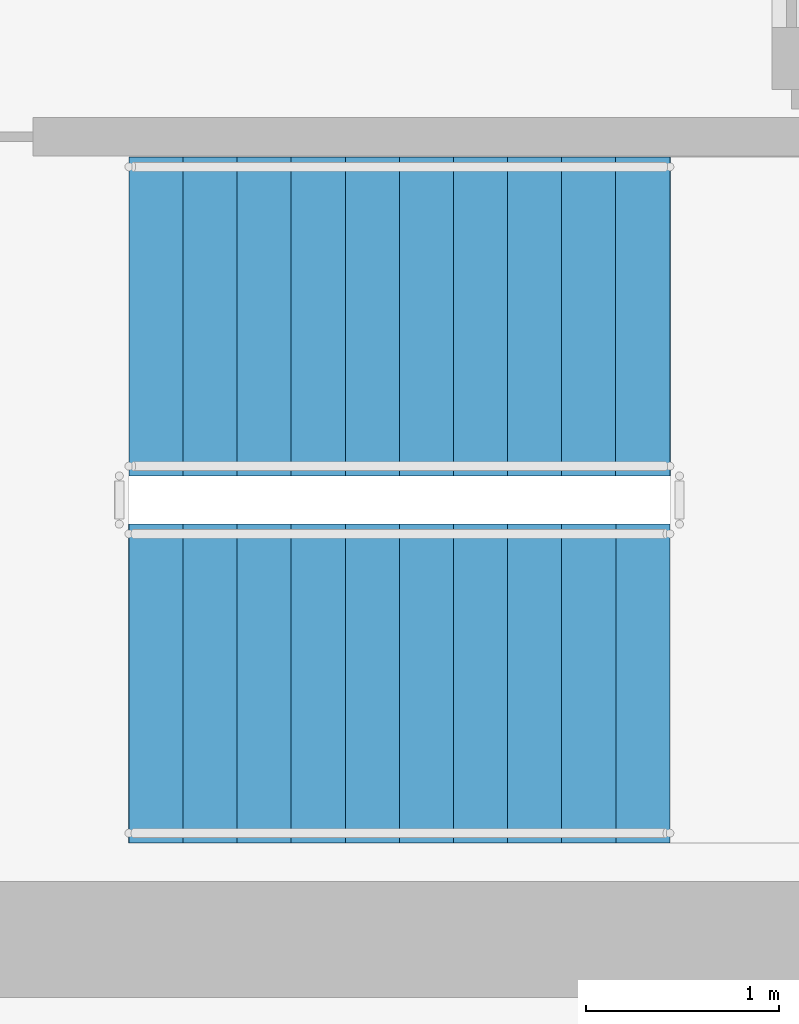
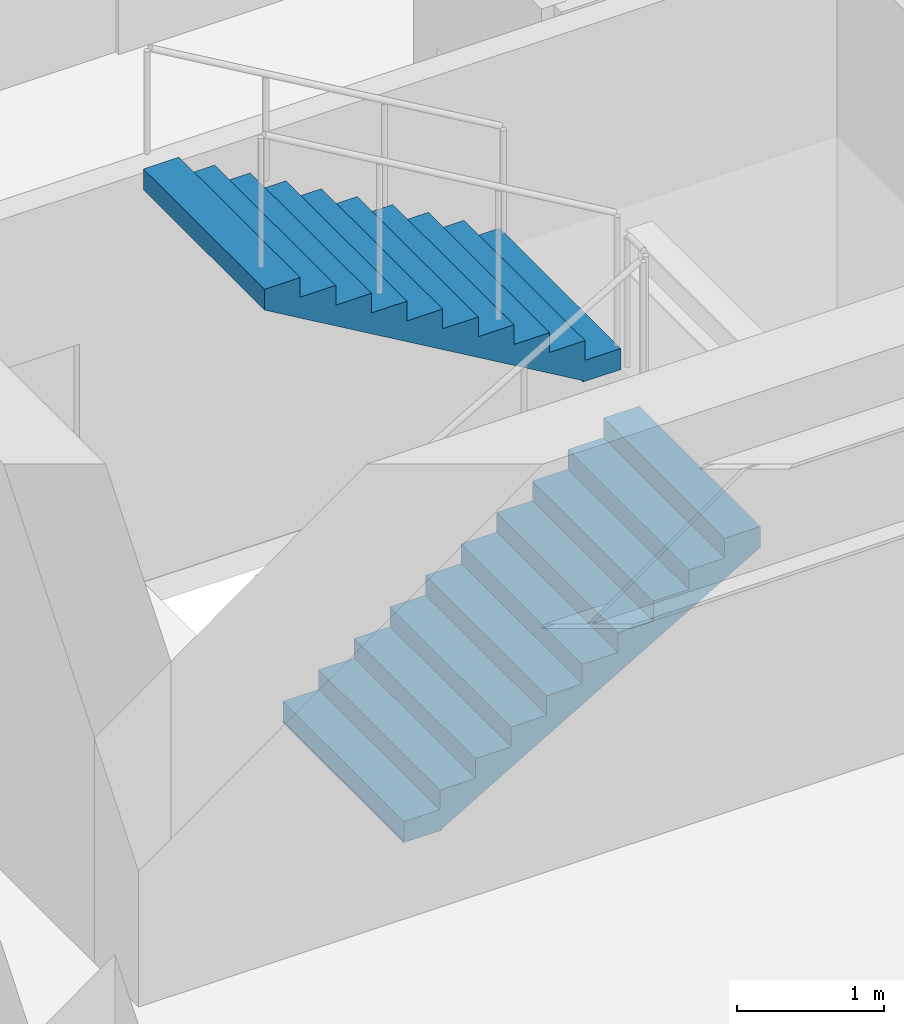
# One storey, part 9 of 12: 2 stair flights, 1 element without a shape of its own.
"""IFC4 building model written with IfcOpenShell, lengths in metres."""

from ifc_helpers import new_model, si_unit, direction, frame, origin, place, context, subcontext, project, spatial, polyline, outline, extrude, source, transform, mapped, material, type_object, element, aggregate, save


model = new_model("IFC4")

# Units and contexts
model_context = context("Model", 3, precision=1e-05, world=origin(), true_north=direction((0.0, 1.0)))
body_context = subcontext(model_context, "Body", "Model", "MODEL_VIEW")
ifc_project = project(units=[si_unit("LENGTHUNIT", "METRE"), si_unit("AREAUNIT", "SQUARE_METRE"), si_unit("VOLUMEUNIT", "CUBIC_METRE"), si_unit("PLANEANGLEUNIT", "RADIAN"), si_unit("MASSUNIT", "GRAM", prefix="KILO")], contexts=[model_context])

# Site, building, storey
site_placement = place(None, origin())
site = spatial("IfcSite", under=ifc_project, at=site_placement, CompositionType="ELEMENT")
building_placement = place(site_placement, origin())
building = spatial("IfcBuilding", under=site, at=building_placement, Name="Kharzan Plaza Tower", CompositionType="ELEMENT")
storey_placement = place(building_placement, frame((0.0, 0.0, 179.10009765625)))
storey = spatial("IfcBuildingStorey", under=building, at=storey_placement, Name="L48", CompositionType="ELEMENT", Elevation=179.10009765625)

# Stair, stair flights
ifc_material = material(Name="Concrete C40/50", Category="concrete")
stair_type = type_object("IfcStairType", Name="STR-ST-3", PredefinedType="HALF_TURN_STAIR", material=ifc_material)
stair_placement = place(storey_placement, origin())
stair = element("IfcStair", 1, at=stair_placement, inside=storey, type_object=stair_type, Name="L48 Protected Exit Stair ST-3", PredefinedType="HALF_TURN_STAIR")
stair_flight_type = type_object("IfcStairFlightType", Name="SFL-1650-R173", PredefinedType="STRAIGHT", material=ifc_material)
shared_shape = source(origin(), body_context, "Body", "SweptSolid", [
    extrude(outline(polyline([(-0.0029296875, -0.011962890625), (-0.0029296875, 0.0), (0.0, 0.0), (0.0, 0.16357421875), (0.280029296875, 0.16357421875), (0.280029296875, 0.3271484375), (0.56005859375, 0.3271484375), (0.56005859375, 0.49072265625), (0.840087890625, 0.49072265625), (0.840087890625, 0.654296875), (1.1201171875, 0.654296875), (1.1201171875, 0.81787109375), (1.400146484375, 0.81787109375), (1.400146484375, 0.9814453125), (1.68017578125, 0.9814453125), (1.68017578125, 1.14501953125), (1.960205078125, 1.14501953125), (1.960205078125, 1.30859375), (2.240234375, 1.30859375), (2.240234375, 1.47216796875), (2.520263671875, 1.47216796875), (2.520263671875, 1.6357421875), (2.80029296875, 1.6357421875), (2.80029296875, 1.79931640625), (2.80029296875, 1.462158203125), (0.297119140625, 0.0), (0.297119140625, -0.011962890625), (-0.0029296875, -0.011962890625)])), frame((0.0, 0.824951171875, 0.0), z_axis=(0.0, -1.0, 0.0), x_axis=(1.0, 0.0, 0.0)), (0.0, 0.0, 1.0), 1.64990234375),
])
stair_flight_1_placement = place(storey_placement, frame((38.25, 5.824951171875, 0.0), z_axis=(0.0, 0.0, 1.0), x_axis=(1.0, 0.0, 0.0)))
stair_flight_1 = element("IfcStairFlight", 2, at=stair_flight_1_placement, type_object=stair_flight_type, Name="ST-3 flight 1", NumberOfRisers=11, NumberOfTreads=10, PredefinedType="STRAIGHT", RiserHeight=0.163636364, TreadLength=0.28, context=body_context, shape_type="MappedRepresentation", body=[
    mapped(shared_shape, transform((0.0, 0.0, 0.0), x_axis=(1.0, 0.0, 0.0), y_axis=(0.0, 1.0, 0.0), z_axis=(0.0, 0.0, 1.0))),
])
stair_flight_2_placement = place(storey_placement, frame((41.050048828125, 7.72509765625, 1.7998046875), z_axis=(0.0, 0.0, 1.0), x_axis=(-1.0, 0.0, 0.0)))
stair_flight_2 = element("IfcStairFlight", 3, at=stair_flight_2_placement, type_object=stair_flight_type, Name="ST-3 flight 2", NumberOfRisers=11, NumberOfTreads=10, PredefinedType="STRAIGHT", RiserHeight=0.163636364, TreadLength=0.28, context=body_context, shape_type="MappedRepresentation", body=[
    mapped(shared_shape, transform((0.0, 0.0, 0.0), x_axis=(1.0, 0.0, 0.0), y_axis=(0.0, 1.0, 0.0), z_axis=(0.0, 0.0, 1.0))),
])
aggregate(stair, [stair_flight_1, stair_flight_2])

save(model, "model.ifc")
